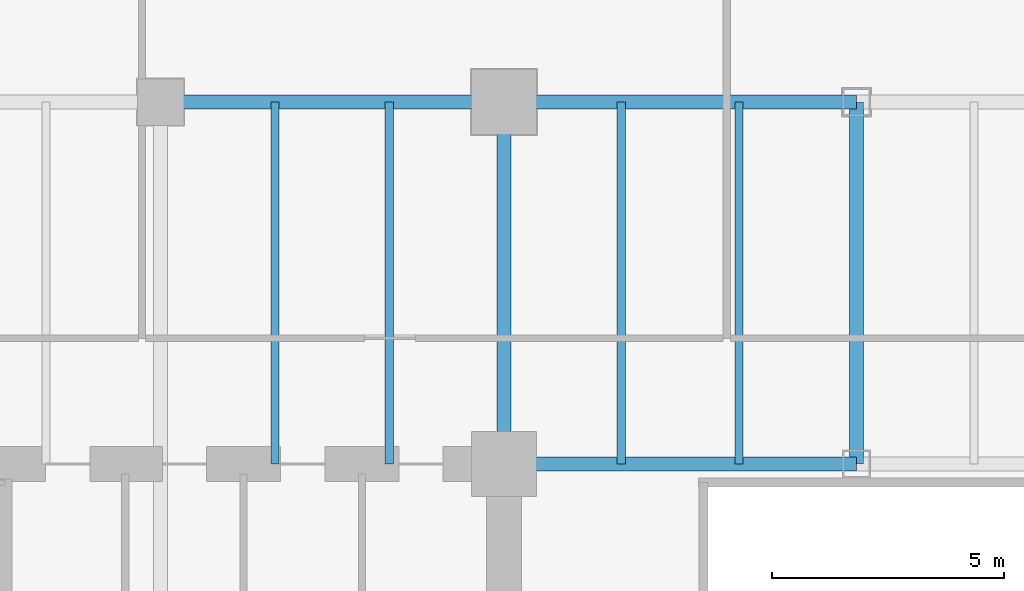
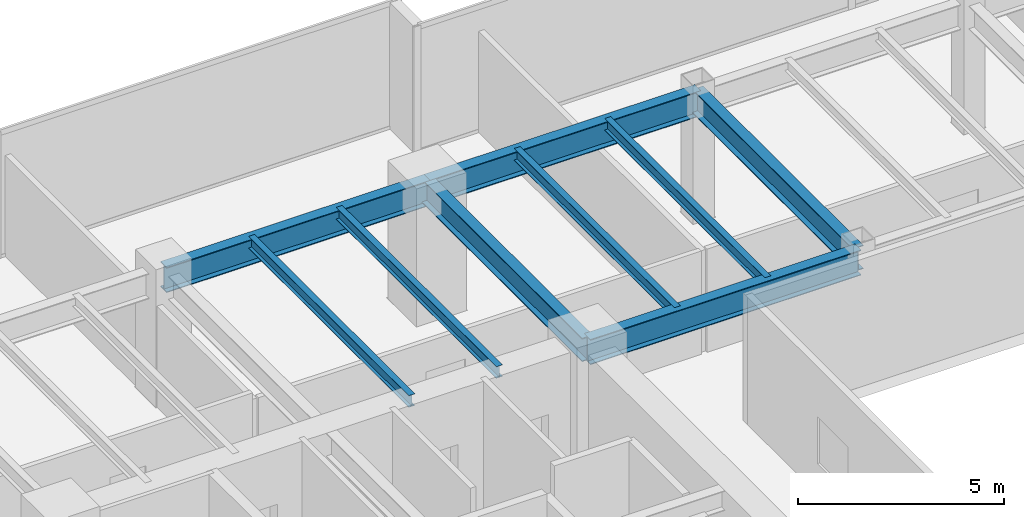
# One storey, part 13 of 36: 9 beams.
"""IFC4 building model written with IfcOpenShell, lengths in metres."""

import ifcopenshell
import ifcopenshell.guid

model = None  # the IFC model being written
_history = None  # IfcOwnerHistory: only IFC2X3 demands one
_inside = {}  # id of a spatial element -> (the spatial element, [elements in it])
_under = {}  # id of a project, library or spatial element -> (it, [spatial elements below it])
_declared = {}  # id of a project -> (the project, [libraries it declares])
_typed = {}  # id of a type object -> (the type object, [elements of that type])
_made_of = {}  # id of a material, layer set ... -> (it, [elements and type objects made of it])


def new_model(schema):
    """Start an empty IFC model of exactly this schema.

    Asked for "IFC4X3", IfcOpenShell would pick the latest addendum, in which some entities
    have other attributes; the version numbers below select the first issue.
    IFC2X3 requires an IfcOwnerHistory on every rooted entity: one is made here for all.
    """
    global model, _history
    if schema == "IFC4X3":
        model = ifcopenshell.file(schema_version=(4, 3, 0, 0))
    else:
        model = ifcopenshell.file(schema=schema)
    _inside.clear()
    _under.clear()
    _declared.clear()
    _typed.clear()
    _made_of.clear()
    _history = None
    if model.schema == "IFC2X3":
        org = make("IfcOrganization", Name="unknown")
        user = make(
            "IfcPersonAndOrganization",
            ThePerson=make("IfcPerson", FamilyName="unknown"),
            TheOrganization=org,
        )
        app = make(
            "IfcApplication",
            ApplicationDeveloper=org,
            Version="unknown",
            ApplicationFullName="unknown",
            ApplicationIdentifier="unknown",
        )
        _history = make(
            "IfcOwnerHistory",
            OwningUser=user,
            OwningApplication=app,
            ChangeAction="ADDED",
            CreationDate=0,
        )
    return model


def make(cls, **values):
    """One entity of the class cls with the attributes given. An attribute that is None is left unset."""
    return model.create_entity(
        cls, **{name: value for name, value in values.items() if value is not None}
    )


def rooted(cls, **values):
    """An entity with a GlobalId (a new one), such as an element, a storey or a relation."""
    return make(cls, GlobalId=ifcopenshell.guid.new(), OwnerHistory=_history, **values)


def si_unit(unit_type, name, prefix=None):
    """IfcSIUnit, for example si_unit("LENGTHUNIT", "METRE", prefix="MILLI")."""
    return make("IfcSIUnit", UnitType=unit_type, Prefix=prefix, Name=name)


def assignment(units):
    """IfcUnitAssignment: the units of a project."""
    return None if units is None else make("IfcUnitAssignment", Units=units)


def point(xyz):
    """IfcCartesianPoint."""
    return None if xyz is None else make("IfcCartesianPoint", Coordinates=xyz)


def direction(xyz):
    """IfcDirection."""
    return None if xyz is None else make("IfcDirection", DirectionRatios=xyz)


def frame(location, z_axis=None, x_axis=None):
    """IfcAxis2Placement3D, a coordinate frame: its origin and axes. An axis left out is left unset."""
    return make(
        "IfcAxis2Placement3D",
        Location=point(location),
        Axis=direction(z_axis),
        RefDirection=direction(x_axis),
    )


def frame_2d(location, x_axis=None):
    """IfcAxis2Placement2D, a coordinate frame in the plane: its origin and x axis."""
    return make(
        "IfcAxis2Placement2D", Location=point(location), RefDirection=direction(x_axis)
    )


def origin():
    """The frame at (0, 0, 0) with its axes left unset."""
    return frame((0.0, 0.0, 0.0))


def origin_2d():
    """The frame at (0, 0) in the plane with its x axis left unset."""
    return frame_2d((0.0, 0.0))


def place(relative_to, where):
    """IfcLocalPlacement: puts the frame where relative to a parent placement (None: the world)."""
    return make(
        "IfcLocalPlacement", PlacementRelTo=relative_to, RelativePlacement=where
    )


def context(
    kind, dimensions, precision=None, world=None, true_north=None, identifier=None
):
    """IfcGeometricRepresentationContext, for example the 3D "Model" context."""
    return make(
        "IfcGeometricRepresentationContext",
        ContextIdentifier=identifier,
        ContextType=kind,
        CoordinateSpaceDimension=dimensions,
        Precision=precision,
        WorldCoordinateSystem=world,
        TrueNorth=true_north,
    )


def subcontext(parent, identifier, kind, view, scale=None):
    """IfcGeometricRepresentationSubContext, for example "Body" below "Model"."""
    return make(
        "IfcGeometricRepresentationSubContext",
        ContextIdentifier=identifier,
        ContextType=kind,
        ParentContext=parent,
        TargetScale=scale,
        TargetView=view,
    )


def project(units=None, contexts=None):
    """IfcProject with its units and contexts."""
    return rooted(
        "IfcProject",
        Name="project",
        RepresentationContexts=contexts,
        UnitsInContext=assignment(units),
    )


def spatial(cls, under=None, at=None, **own):
    """A site, building, storey or space (cls), placed at a placement, below another one or the project."""
    s = rooted(cls, ObjectPlacement=at, **own)
    if under is not None:
        _under.setdefault(under.id(), (under, []))[1].append(s)
    return s


def profile(cls, at=None, kind="AREA", **sizes):
    """A parametric profile (cls). Its sizes go by their IFC names, for example OverallWidth=200.0."""
    return make(cls, ProfileType=kind, Position=at, **sizes)


def i_section(**sizes):
    """IfcIShapeProfileDef."""
    return profile("IfcIShapeProfileDef", **sizes)


def extrude(swept, where, along, depth):
    """IfcExtrudedAreaSolid: the profile swept, set in the frame where, extruded along a direction by depth."""
    return make(
        "IfcExtrudedAreaSolid",
        SweptArea=swept,
        Position=where,
        ExtrudedDirection=direction(along),
        Depth=depth,
    )


def shape(context_of_items, identifier, shape_type, items):
    """IfcShapeRepresentation: the items that make up one representation, for example the "Body"."""
    return make(
        "IfcShapeRepresentation",
        ContextOfItems=context_of_items,
        RepresentationIdentifier=identifier,
        RepresentationType=shape_type,
        Items=items,
    )


def source(mapping_origin, context_of_items, identifier, shape_type, items):
    """IfcRepresentationMap: a shape defined once, which mapped items show again and again."""
    return make(
        "IfcRepresentationMap",
        MappingOrigin=mapping_origin,
        MappedRepresentation=shape(context_of_items, identifier, shape_type, items),
    )


def transform(
    local_origin,
    x_axis=None,
    y_axis=None,
    z_axis=None,
    scale=None,
    scale2=None,
    scale3=None,
    uniform=True,
):
    """IfcCartesianTransformationOperator3D, or its non-uniform kind. x_axis, y_axis, z_axis: its Axis1, 2, 3."""
    if uniform:
        return make(
            "IfcCartesianTransformationOperator3D",
            Axis1=direction(x_axis),
            Axis2=direction(y_axis),
            LocalOrigin=point(local_origin),
            Scale=scale,
            Axis3=direction(z_axis),
        )
    return make(
        "IfcCartesianTransformationOperator3DnonUniform",
        Axis1=direction(x_axis),
        Axis2=direction(y_axis),
        LocalOrigin=point(local_origin),
        Scale=scale,
        Axis3=direction(z_axis),
        Scale2=scale2,
        Scale3=scale3,
    )


def mapped(mapping_source, mapping_target):
    """IfcMappedItem: shows the shape of a source again, moved by a transform."""
    return make(
        "IfcMappedItem", MappingSource=mapping_source, MappingTarget=mapping_target
    )


def material(Name=None, Category=None):
    """IfcMaterial."""
    return make("IfcMaterial", Name=Name, Category=Category)


def material_profile(
    of_material, cross_section, Name=None, Category=None, Priority=None
):
    """IfcMaterialProfile: a cross section and its material."""
    return make(
        "IfcMaterialProfile",
        Name=Name,
        Material=of_material,
        Profile=cross_section,
        Priority=Priority,
        Category=Category,
    )


def profile_set(profiles, Name=None, composite=None):
    """IfcMaterialProfileSet."""
    return make(
        "IfcMaterialProfileSet",
        Name=Name,
        MaterialProfiles=profiles,
        CompositeProfile=composite,
    )


def made_of(thing, what):
    """Note that an element or type object is made of a material, layer set ...; save() writes the relation."""
    if what is not None:
        _made_of.setdefault(what.id(), (what, []))[1].append(thing)
    return thing


def type_object(cls, material=None, **own):
    """A type object (cls), such as IfcWallType, which elements share."""
    return made_of(rooted(cls, **own), material)


def type_shapes(of_type, sources):
    """Give a type object the sources (RepresentationMaps) that its elements show as mapped items."""
    of_type.RepresentationMaps = sources


def element(
    cls,
    number,
    at=None,
    inside=None,
    cuts=None,
    type_object=None,
    material=None,
    context=None,
    identifier="Body",
    shape_type=None,
    held_by="IfcProductDefinitionShape",
    body=None,
    shapes=None,
    **own,
):
    """One element of the class cls, such as IfcWall. Its Tag is "e" and its number.

    at: its placement. inside: the storey or other place that contains it. cuts: it is an
    opening in that element (IfcRelVoidsElement). A single representation is given by context,
    identifier, shape_type and body (its items); several are given by shapes. held_by: the class
    of the entity that holds the representations. save() writes the other relations.
    """
    e = rooted(cls, Tag="e%d" % number, ObjectPlacement=at, **own)
    if body is not None:
        shapes = [shape(context, identifier, shape_type, body)]
    if shapes is not None:
        e.Representation = make(held_by, Representations=shapes)
    if inside is not None:
        _inside.setdefault(inside.id(), (inside, []))[1].append(e)
    if cuts is not None:
        rooted(
            "IfcRelVoidsElement", RelatingBuildingElement=cuts, RelatedOpeningElement=e
        )
    if type_object is not None:
        _typed.setdefault(type_object.id(), (type_object, []))[1].append(e)
    return made_of(e, material)


def aggregate(whole, parts):
    """IfcRelAggregates: a whole, such as a stair, and the parts it consists of."""
    return rooted("IfcRelAggregates", RelatingObject=whole, RelatedObjects=parts)


def save(model, path):
    """Write the relations noted so far, then the file.

    IfcRelAggregates (storeys below a building ...), IfcRelContainedInSpatialStructure (elements
    in a storey), IfcRelDefinesByType, IfcRelAssociatesMaterial and IfcRelDeclares: one each for
    every whole, place, type object, material and project.
    """
    for whole, parts in _under.values():
        aggregate(whole, parts)
    for where, things in _inside.values():
        rooted(
            "IfcRelContainedInSpatialStructure",
            RelatedElements=things,
            RelatingStructure=where,
        )
    for kind, things in _typed.values():
        rooted("IfcRelDefinesByType", RelatedObjects=things, RelatingType=kind)
    for what, things in _made_of.values():
        rooted("IfcRelAssociatesMaterial", RelatedObjects=things, RelatingMaterial=what)
    for by, libraries in _declared.values():
        rooted("IfcRelDeclares", RelatingContext=by, RelatedDefinitions=libraries)
    model.write(path)


model = new_model("IFC4")

# Units and contexts
model_context = context("Model", 3, precision=1e-05, world=origin(), true_north=direction((0.0, 1.0)))
body_context = subcontext(model_context, "Body", "Model", "MODEL_VIEW")
ifc_project = project(units=[si_unit("LENGTHUNIT", "METRE"), si_unit("AREAUNIT", "SQUARE_METRE"), si_unit("VOLUMEUNIT", "CUBIC_METRE"), si_unit("PLANEANGLEUNIT", "RADIAN"), si_unit("MASSUNIT", "GRAM", prefix="KILO")], contexts=[model_context])

# Site, building, storey
site_placement = place(None, origin())
site = spatial("IfcSite", under=ifc_project, at=site_placement, CompositionType="ELEMENT")
building_placement = place(site_placement, origin())
building = spatial("IfcBuilding", under=site, at=building_placement, Name="Haelvirn Gate Laboratories", CompositionType="ELEMENT")
storey_placement = place(building_placement, frame((0.0, 0.0, 49.800048828125)))
storey = spatial("IfcBuildingStorey", under=building, at=storey_placement, Name="L12", CompositionType="ELEMENT", Elevation=49.800048828125)

# Beams
ifc_material = material(Name="Steel SM355", Category="steel")
ifc_material_profile_1 = material_profile(ifc_material, i_section(OverallWidth=0.300048828125, OverallDepth=0.699951171875, WebThickness=0.012939453125, FlangeThickness=0.02392578125, at=origin_2d()), Name="H-700x300x13x24")
ifc_profile_set_1 = profile_set([ifc_material_profile_1], Name="Steel SM355")
beam_type_1 = type_object("IfcBeamType", Name="BM-G-700", PredefinedType="BEAM", material=ifc_profile_set_1)
shared_shape_1 = source(origin(), body_context, "Body", "SweptSolid", [
    extrude(i_section(OverallWidth=0.300048828125, OverallDepth=0.699951171875, WebThickness=0.012939453125, FlangeThickness=0.02392578125, at=origin_2d()), origin(), (0.0, 0.0, 1.0), 7.800048828125),
])
type_shapes(beam_type_1, [shared_shape_1])
for number, where, z_axis, x_axis, name in (
    (1, (22.199951171875, 33.800048828125, 3.429931640625), (0.0, 1.0, 0.0), (-1.0, 0.0, 0.0), "L12 Frame Girder X22.2 (33.8-41.6)"),
    (2, (29.800048828125, 33.800048828125, 3.429931640625), (0.0, 1.0, 0.0), (-1.0, 0.0, 0.0), "L12 Frame Girder X29.8 (33.8-41.6)"),
):
    element("IfcBeam", number, at=place(storey_placement, frame(where, z_axis=z_axis, x_axis=x_axis)), inside=storey, type_object=beam_type_1, Name=name, PredefinedType="BEAM", context=body_context, shape_type="MappedRepresentation", body=[
        mapped(shared_shape_1, transform((0.0, 0.0, 0.0), scale=1.0)),
    ])
ifc_material_profile_2 = material_profile(ifc_material, i_section(OverallWidth=0.300048828125, OverallDepth=0.75, WebThickness=0.013916015625, FlangeThickness=0.02392578125, at=origin_2d()), Name="H-750x300x14x24")
ifc_profile_set_2 = profile_set([ifc_material_profile_2], Name="Steel SM355")
beam_type_2 = type_object("IfcBeamType", Name="BM-G-750", PredefinedType="BEAM", material=ifc_profile_set_2)
shared_shape_2 = source(origin(), body_context, "Body", "SweptSolid", [
    extrude(i_section(OverallWidth=0.300048828125, OverallDepth=0.75, WebThickness=0.013916015625, FlangeThickness=0.02392578125, at=origin_2d()), origin(), (0.0, 0.0, 1.0), 7.39990234375),
])
beam_placement = place(storey_placement, frame((14.800048828125, 41.60009765625, 3.405029296875), z_axis=(1.0, 0.0, 0.0), x_axis=(0.0, 1.0, 0.0)))
element("IfcBeam", 3, at=beam_placement, inside=storey, type_object=beam_type_2, Name="L12 Primary Girder Y41.6 (14.8-22.2)", PredefinedType="BEAM", context=body_context, shape_type="MappedRepresentation", body=[
    mapped(shared_shape_2, transform((0.0, 0.0, 0.0), scale=1.0)),
])
shared_shape_3 = source(origin(), body_context, "Body", "SweptSolid", [
    extrude(i_section(OverallWidth=0.300048828125, OverallDepth=0.75, WebThickness=0.013916015625, FlangeThickness=0.02392578125, at=origin_2d()), origin(), (0.0, 0.0, 1.0), 7.60009765625),
])
type_shapes(beam_type_2, [shared_shape_2, shared_shape_3])
for number, where, z_axis, x_axis, name in (
    (4, (22.199951171875, 33.800048828125, 3.405029296875), (1.0, 0.0, 0.0), (0.0, 1.0, 0.0), "L12 Primary Girder Y33.8 (22.2-29.8)"),
    (5, (22.199951171875, 41.60009765625, 3.405029296875), (1.0, 0.0, 0.0), (0.0, 1.0, 0.0), "L12 Primary Girder Y41.6 (22.2-29.8)"),
):
    element("IfcBeam", number, at=place(storey_placement, frame(where, z_axis=z_axis, x_axis=x_axis)), inside=storey, type_object=beam_type_2, Name=name, PredefinedType="BEAM", context=body_context, shape_type="MappedRepresentation", body=[
        mapped(shared_shape_3, transform((0.0, 0.0, 0.0), scale=1.0)),
    ])
ifc_material_profile_3 = material_profile(ifc_material, i_section(OverallWidth=0.175048828125, OverallDepth=0.35009765625, WebThickness=0.007080078125, FlangeThickness=0.010986328125, at=origin_2d()), Name="H-350x175x7x11")
ifc_profile_set_3 = profile_set([ifc_material_profile_3], Name="Steel SM355")
beam_type_3 = type_object("IfcBeamType", Name="BM-J-350", PredefinedType="JOIST", material=ifc_profile_set_3)
shared_shape_4 = source(origin(), body_context, "Body", "SweptSolid", [
    extrude(i_section(OverallWidth=0.175048828125, OverallDepth=0.35009765625, WebThickness=0.007080078125, FlangeThickness=0.010986328125, at=origin_2d()), origin(), (0.0, 0.0, 1.0), 7.800048828125),
])
type_shapes(beam_type_3, [shared_shape_4])
for number, where, z_axis, x_axis, name in (
    (6, (17.27001953125, 33.800048828125, 3.60498046875), (0.0, 1.0, 0.0), (-1.0, 0.0, 0.0), "L12 Composite Lab Joist North X17.27"),
    (7, (19.72998046875, 33.800048828125, 3.60498046875), (0.0, 1.0, 0.0), (-1.0, 0.0, 0.0), "L12 Composite Lab Joist North X19.73"),
    (8, (24.72998046875, 33.800048828125, 3.60498046875), (0.0, 1.0, 0.0), (-1.0, 0.0, 0.0), "L12 Composite Lab Joist North X24.73"),
    (9, (27.27001953125, 33.800048828125, 3.60498046875), (0.0, 1.0, 0.0), (-1.0, 0.0, 0.0), "L12 Composite Lab Joist North X27.27"),
):
    element("IfcBeam", number, at=place(storey_placement, frame(where, z_axis=z_axis, x_axis=x_axis)), inside=storey, type_object=beam_type_3, Name=name, PredefinedType="JOIST", context=body_context, shape_type="MappedRepresentation", body=[
        mapped(shared_shape_4, transform((0.0, 0.0, 0.0), scale=1.0)),
    ])

save(model, "model.ifc")
